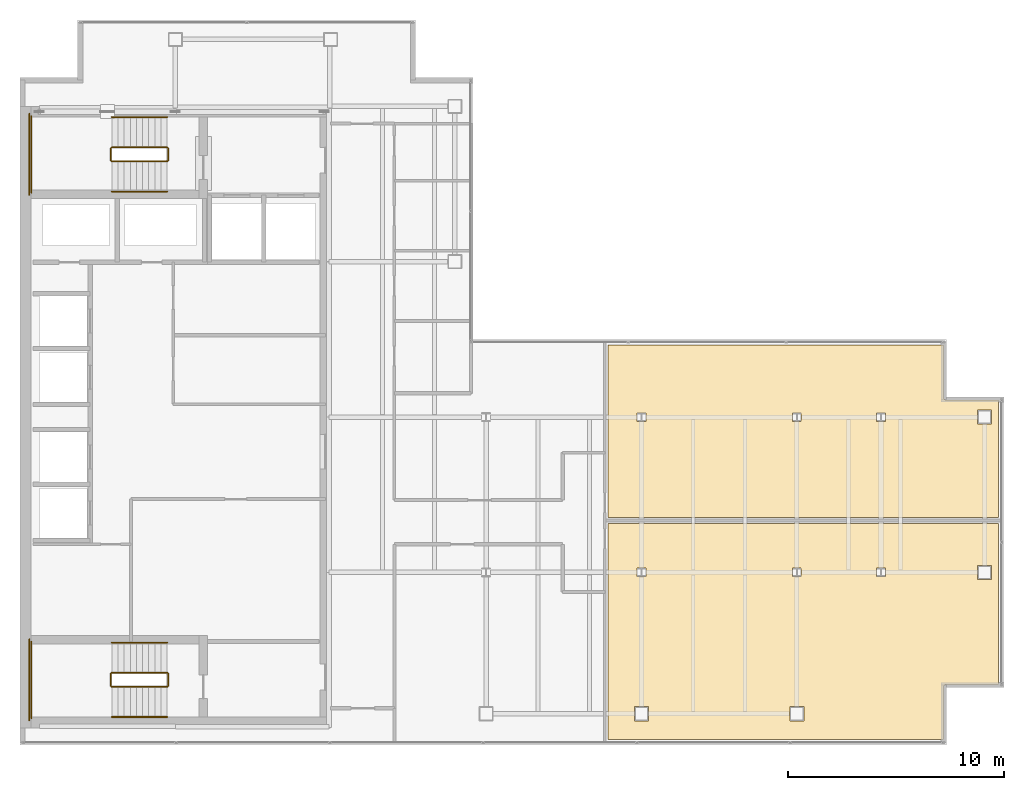
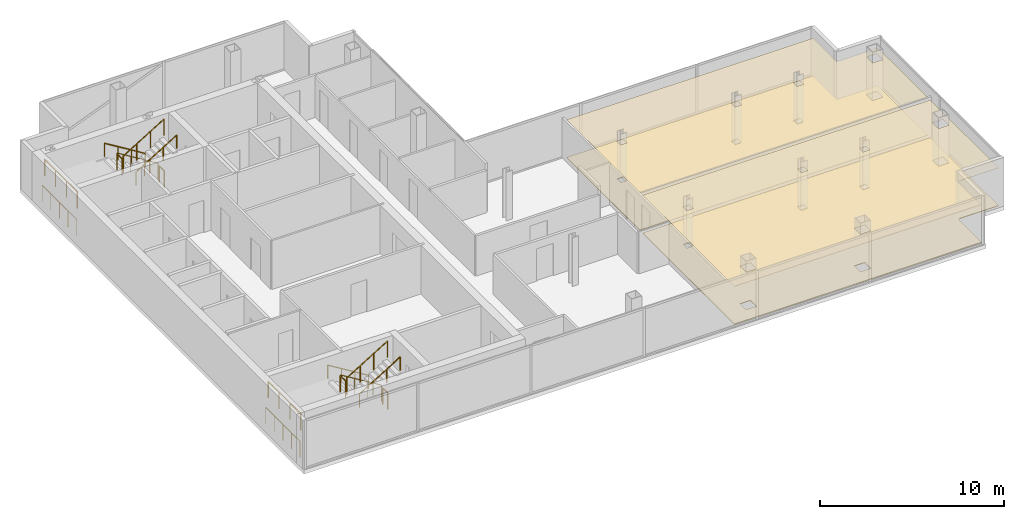
# One storey, part 23 of 23: 16 railings, 4 coverings.
"""IFC4 building model written with IfcOpenShell, lengths in metres."""

from ifc_helpers import new_model, si_unit, direction, frame, origin, origin_2d, place, context, subcontext, project, spatial, polyline, circle, outline, extrude, material, layer, layer_set, type_object, element, save


model = new_model("IFC4")

# Units and contexts
model_context = context("Model", 3, precision=1e-05, world=origin(), true_north=direction((0.0, 1.0)))
body_context = subcontext(model_context, "Body", "Model", "MODEL_VIEW")
ifc_project = project(units=[si_unit("LENGTHUNIT", "METRE"), si_unit("AREAUNIT", "SQUARE_METRE"), si_unit("VOLUMEUNIT", "CUBIC_METRE"), si_unit("PLANEANGLEUNIT", "RADIAN"), si_unit("MASSUNIT", "GRAM", prefix="KILO")], contexts=[model_context])

# Site, building, storey
site_placement = place(None, origin())
site = spatial("IfcSite", under=ifc_project, at=site_placement, CompositionType="ELEMENT")
building_placement = place(site_placement, origin())
building = spatial("IfcBuilding", under=site, at=building_placement, Name="Cobrela Telecom Tower", CompositionType="ELEMENT")
storey_placement = place(building_placement, frame((0.0, 0.0, 279.64990234375)))
storey = spatial("IfcBuildingStorey", under=building, at=storey_placement, Name="L73", CompositionType="ELEMENT", Elevation=279.64990234375)

# Coverings
ifc_material_1 = material(Name="Mineral Fibre Acoustic Ceiling Tile")
ifc_layer_1 = layer(ifc_material_1, 0.02490234375)
ifc_layer_set_1 = layer_set([ifc_layer_1], Name="Mineral Fibre Acoustic Ceiling Tile")
covering_type_1 = type_object("IfcCoveringType", Name="COV-CEIL-ACT", PredefinedType="CEILING", material=ifc_layer_set_1)
covering_1_placement = place(storey_placement, frame((0.0, 0.0, 2.52001953125)))
element("IfcCovering", 1, at=covering_1_placement, inside=storey, type_object=covering_type_1, Name="L73 Engineering Conference Room 5 Suspended Acoustic Ceiling", PredefinedType="CEILING", context=body_context, shape_type="SweptSolid", body=[
    extrude(outline(polyline([(45.340087890625, 9.2099609375), (42.928955078125, 9.2099609375), (42.916259765625, 9.20947265625), (42.902587890625, 9.20751953125), (42.889404296875, 9.2041015625), (42.87646484375, 9.199462890625), (42.864013671875, 9.193603515625), (42.85205078125, 9.186279296875), (42.84130859375, 9.17822265625), (42.8310546875, 9.1689453125), (42.82177734375, 9.15869140625), (42.813720703125, 9.14794921875), (42.806396484375, 9.135986328125), (42.800537109375, 9.12353515625), (42.7958984375, 9.110595703125), (42.79248046875, 9.097412109375), (42.79052734375, 9.083740234375), (42.7900390625, 9.071044921875), (42.7900390625, 6.659912109375), (27.239990234375, 6.659912109375), (27.239990234375, 16.659912109375), (45.340087890625, 16.659912109375), (45.340087890625, 9.2099609375)]), holes=[polyline([(28.99951171875, 14.596923828125), (28.6005859375, 14.596923828125), (28.6005859375, 14.202880859375), (28.99951171875, 14.202880859375), (28.99951171875, 14.596923828125)]), polyline([(29.125, 8.175048828125), (28.47509765625, 8.175048828125), (28.47509765625, 7.52490234375), (29.125, 7.52490234375), (29.125, 8.175048828125)]), polyline([(36.324951171875, 8.175048828125), (35.675048828125, 8.175048828125), (35.675048828125, 7.52490234375), (36.324951171875, 7.52490234375), (36.324951171875, 8.175048828125)]), polyline([(36.199462890625, 14.596923828125), (35.800537109375, 14.596923828125), (35.800537109375, 14.202880859375), (36.199462890625, 14.202880859375), (36.199462890625, 14.596923828125)]), polyline([(40.099609375, 14.596923828125), (39.700439453125, 14.596923828125), (39.700439453125, 14.202880859375), (40.099609375, 14.202880859375), (40.099609375, 14.596923828125)]), polyline([(45.02490234375, 14.72509765625), (44.375, 14.72509765625), (44.375, 14.074951171875), (45.02490234375, 14.074951171875), (45.02490234375, 14.72509765625)])]), origin(), (0.0, 0.0, 1.0), 0.025146484375),
])
covering_2_placement = place(storey_placement, frame((0.0, 0.0, 2.52001953125)))
element("IfcCovering", 2, at=covering_2_placement, inside=storey, type_object=covering_type_1, Name="L73 Staff Fitness Gym 6 Suspended Acoustic Ceiling", PredefinedType="CEILING", context=body_context, shape_type="SweptSolid", body=[
    extrude(outline(polyline([(42.7900390625, 24.93994140625), (42.7900390625, 22.529052734375), (42.79052734375, 22.516357421875), (42.79248046875, 22.502685546875), (42.7958984375, 22.489501953125), (42.800537109375, 22.476318359375), (42.806396484375, 22.464111328125), (42.813720703125, 22.4521484375), (42.82177734375, 22.441162109375), (42.8310546875, 22.430908203125), (42.84130859375, 22.421630859375), (42.85205078125, 22.41357421875), (42.864013671875, 22.406494140625), (42.87646484375, 22.400634765625), (42.889404296875, 22.39599609375), (42.902587890625, 22.392578125), (42.916259765625, 22.390625), (42.928955078125, 22.389892578125), (45.340087890625, 22.389892578125), (45.340087890625, 16.93994140625), (27.239990234375, 16.93994140625), (27.239990234375, 24.93994140625), (42.7900390625, 24.93994140625)]), holes=[polyline([(28.99951171875, 21.797119140625), (28.6005859375, 21.797119140625), (28.6005859375, 21.403076171875), (28.99951171875, 21.403076171875), (28.99951171875, 21.797119140625)]), polyline([(36.199462890625, 21.797119140625), (35.800537109375, 21.797119140625), (35.800537109375, 21.403076171875), (36.199462890625, 21.403076171875), (36.199462890625, 21.797119140625)]), polyline([(40.099609375, 21.403076171875), (40.099609375, 21.797119140625), (39.700439453125, 21.797119140625), (39.700439453125, 21.403076171875), (40.099609375, 21.403076171875)]), polyline([(45.02490234375, 21.27490234375), (45.02490234375, 21.925048828125), (44.375, 21.925048828125), (44.375, 21.27490234375), (45.02490234375, 21.27490234375)])]), origin(), (0.0, 0.0, 1.0), 0.025146484375),
])
ifc_material_2 = material(Name="Honed Colombian Basalt Stone", Category="masonry")
ifc_layer_2 = layer(ifc_material_2, 0.0400390625)
ifc_layer_set_2 = layer_set([ifc_layer_2], Name="Honed Colombian Basalt Stone")
covering_type_2 = type_object("IfcCoveringType", Name="COV-FLR-STONE", PredefinedType="FLOORING", material=ifc_layer_set_2)
covering_3_placement = place(storey_placement, origin())
element("IfcCovering", 3, at=covering_3_placement, inside=storey, type_object=covering_type_2, Name="L73 Engineering Conference Room 5 Raised Technical Flooring", PredefinedType="FLOORING", context=body_context, shape_type="SweptSolid", body=[
    extrude(outline(polyline([(45.340087890625, 9.2099609375), (42.928955078125, 9.2099609375), (42.916259765625, 9.20947265625), (42.902587890625, 9.20751953125), (42.889404296875, 9.2041015625), (42.87646484375, 9.199462890625), (42.864013671875, 9.193603515625), (42.85205078125, 9.186279296875), (42.84130859375, 9.17822265625), (42.8310546875, 9.1689453125), (42.82177734375, 9.15869140625), (42.813720703125, 9.14794921875), (42.806396484375, 9.135986328125), (42.800537109375, 9.12353515625), (42.7958984375, 9.110595703125), (42.79248046875, 9.097412109375), (42.79052734375, 9.083740234375), (42.7900390625, 9.071044921875), (42.7900390625, 6.659912109375), (27.239990234375, 6.659912109375), (27.239990234375, 16.659912109375), (45.340087890625, 16.659912109375), (45.340087890625, 9.2099609375)]), holes=[polyline([(28.99951171875, 14.596923828125), (28.6005859375, 14.596923828125), (28.6005859375, 14.202880859375), (28.99951171875, 14.202880859375), (28.99951171875, 14.596923828125)]), polyline([(29.125, 8.175048828125), (28.47509765625, 8.175048828125), (28.47509765625, 7.52490234375), (29.125, 7.52490234375), (29.125, 8.175048828125)]), polyline([(36.324951171875, 8.175048828125), (35.675048828125, 8.175048828125), (35.675048828125, 7.52490234375), (36.324951171875, 7.52490234375), (36.324951171875, 8.175048828125)]), polyline([(36.199462890625, 14.596923828125), (35.800537109375, 14.596923828125), (35.800537109375, 14.202880859375), (36.199462890625, 14.202880859375), (36.199462890625, 14.596923828125)]), polyline([(40.099609375, 14.596923828125), (39.700439453125, 14.596923828125), (39.700439453125, 14.202880859375), (40.099609375, 14.202880859375), (40.099609375, 14.596923828125)]), polyline([(45.02490234375, 14.72509765625), (44.375, 14.72509765625), (44.375, 14.074951171875), (45.02490234375, 14.074951171875), (45.02490234375, 14.72509765625)])]), origin(), (0.0, 0.0, 1.0), 0.0400390625),
])
covering_4_placement = place(storey_placement, origin())
element("IfcCovering", 4, at=covering_4_placement, inside=storey, type_object=covering_type_2, Name="L73 Staff Fitness Gym 6 Raised Technical Flooring", PredefinedType="FLOORING", context=body_context, shape_type="SweptSolid", body=[
    extrude(outline(polyline([(42.7900390625, 24.93994140625), (42.7900390625, 22.529052734375), (42.79052734375, 22.516357421875), (42.79248046875, 22.502685546875), (42.7958984375, 22.489501953125), (42.800537109375, 22.476318359375), (42.806396484375, 22.464111328125), (42.813720703125, 22.4521484375), (42.82177734375, 22.441162109375), (42.8310546875, 22.430908203125), (42.84130859375, 22.421630859375), (42.85205078125, 22.41357421875), (42.864013671875, 22.406494140625), (42.87646484375, 22.400634765625), (42.889404296875, 22.39599609375), (42.902587890625, 22.392578125), (42.916259765625, 22.390625), (42.928955078125, 22.389892578125), (45.340087890625, 22.389892578125), (45.340087890625, 16.93994140625), (27.239990234375, 16.93994140625), (27.239990234375, 24.93994140625), (42.7900390625, 24.93994140625)]), holes=[polyline([(28.99951171875, 21.797119140625), (28.6005859375, 21.797119140625), (28.6005859375, 21.403076171875), (28.99951171875, 21.403076171875), (28.99951171875, 21.797119140625)]), polyline([(36.199462890625, 21.797119140625), (35.800537109375, 21.797119140625), (35.800537109375, 21.403076171875), (36.199462890625, 21.403076171875), (36.199462890625, 21.797119140625)]), polyline([(40.099609375, 21.403076171875), (40.099609375, 21.797119140625), (39.700439453125, 21.797119140625), (39.700439453125, 21.403076171875), (40.099609375, 21.403076171875)]), polyline([(45.02490234375, 21.27490234375), (45.02490234375, 21.925048828125), (44.375, 21.925048828125), (44.375, 21.27490234375), (45.02490234375, 21.27490234375)])]), origin(), (0.0, 0.0, 1.0), 0.0400390625),
])

# Railings
ifc_material_3 = material(Name="Steel ASTM A36", Category="steel")
railing_type_1 = type_object("IfcRailingType", Name="RAIL-GUARD-1100", PredefinedType="GUARDRAIL", material=ifc_material_3)
railing_1_placement = place(storey_placement, frame((6.820068359375, 34.10009765625, 0.175048828125)))
element("IfcRailing", 5, at=railing_1_placement, inside=storey, type_object=railing_type_1, Name="L73 ST1 stair guard 1", PredefinedType="GUARDRAIL", context=body_context, shape_type="SweptSolid", body=[
    extrude(circle(Radius=0.02392578125, at=origin_2d()), frame((0.0, 0.0, 1.076171875), z_axis=(-0.852195335862, 0.0, 0.523223766217), x_axis=(0.0, -1.0, 0.0)), (0.0, 0.0, 1.0), 3.010009765625),
    extrude(circle(Radius=0.02099609375, at=origin_2d()), origin(), (0.0, 0.0, 1.0), 1.052001953125),
    extrude(circle(Radius=0.02099609375, at=origin_2d()), frame((-0.85498046875, 0.0, 0.52490234375)), (0.0, 0.0, 1.0), 1.052001953125),
    extrude(circle(Radius=0.02099609375, at=origin_2d()), frame((-1.710205078125, 0.0, 1.050048828125)), (0.0, 0.0, 1.0), 1.052001953125),
    extrude(circle(Radius=0.02099609375, at=origin_2d()), frame((-2.565185546875, 0.0, 1.574951171875)), (0.0, 0.0, 1.0), 1.052001953125),
])
railing_2_placement = place(storey_placement, frame((4.205078125, 34.050048828125, 1.75)))
element("IfcRailing", 6, at=railing_2_placement, inside=storey, type_object=railing_type_1, Name="L73 ST1 stair guard 2", PredefinedType="GUARDRAIL", context=body_context, shape_type="SweptSolid", body=[
    extrude(circle(Radius=0.02392578125, at=origin_2d()), frame((0.0, 0.0, 1.076171875), z_axis=(0.0, -1.0, 0.0), x_axis=(1.0, 0.0, 0.0)), (0.0, 0.0, 1.0), 0.550048828125),
    extrude(circle(Radius=0.02099609375, at=origin_2d()), origin(), (0.0, 0.0, 1.0), 1.052001953125),
    extrude(circle(Radius=0.02099609375, at=origin_2d()), frame((0.0, -0.550048828125, 0.0)), (0.0, 0.0, 1.0), 1.052001953125),
])
railing_3_placement = place(storey_placement, frame((0.530029296875, 35.550048828125, 1.75)))
element("IfcRailing", 7, at=railing_3_placement, inside=storey, type_object=railing_type_1, Name="L73 ST1 stair guard 3", PredefinedType="GUARDRAIL", context=body_context, shape_type="SweptSolid", body=[
    extrude(circle(Radius=0.02392578125, at=origin_2d()), frame((0.0, 0.0, 1.076171875), z_axis=(0.0, -1.0, 0.0), x_axis=(1.0, 0.0, 0.0)), (0.0, 0.0, 1.0), 3.550048828125),
    extrude(circle(Radius=0.02099609375, at=origin_2d()), origin(), (0.0, 0.0, 1.0), 1.052001953125),
    extrude(circle(Radius=0.02099609375, at=origin_2d()), frame((0.0, -1.183349609375, 0.0)), (0.0, 0.0, 1.0), 1.052001953125),
    extrude(circle(Radius=0.02099609375, at=origin_2d()), frame((0.0, -2.36669921875, 0.0)), (0.0, 0.0, 1.0), 1.052001953125),
    extrude(circle(Radius=0.02099609375, at=origin_2d()), frame((0.0, -3.550048828125, 0.0)), (0.0, 0.0, 1.0), 1.052001953125),
])
railing_4_placement = place(storey_placement, frame((4.2548828125, 33.449951171875, 1.925048828125)))
element("IfcRailing", 8, at=railing_4_placement, inside=storey, type_object=railing_type_1, Name="L73 ST1 stair guard 4", PredefinedType="GUARDRAIL", context=body_context, shape_type="SweptSolid", body=[
    extrude(circle(Radius=0.02392578125, at=origin_2d()), frame((0.0, 0.0, 1.076171875), z_axis=(0.852195335862, 0.0, 0.523223766217), x_axis=(0.0, 1.0, 0.0)), (0.0, 0.0, 1.0), 3.010009765625),
    extrude(circle(Radius=0.02099609375, at=origin_2d()), origin(), (0.0, 0.0, 1.0), 1.052001953125),
    extrude(circle(Radius=0.02099609375, at=origin_2d()), frame((0.85498046875, 0.0, 0.52490234375)), (0.0, 0.0, 1.0), 1.052001953125),
    extrude(circle(Radius=0.02099609375, at=origin_2d()), frame((1.710205078125, 0.0, 1.050048828125)), (0.0, 0.0, 1.0), 1.052001953125),
    extrude(circle(Radius=0.02099609375, at=origin_2d()), frame((2.565185546875, 0.0, 1.574951171875)), (0.0, 0.0, 1.0), 1.052001953125),
])
railing_5_placement = place(storey_placement, frame((6.8701171875, 34.050048828125, 0.0)))
element("IfcRailing", 9, at=railing_5_placement, inside=storey, type_object=railing_type_1, Name="L73 ST1 stair guard 5", PredefinedType="GUARDRAIL", context=body_context, shape_type="SweptSolid", body=[
    extrude(circle(Radius=0.02392578125, at=origin_2d()), frame((0.0, 0.0, 1.076171875), z_axis=(0.0, -1.0, 0.0), x_axis=(1.0, 0.0, 0.0)), (0.0, 0.0, 1.0), 0.550048828125),
    extrude(circle(Radius=0.02099609375, at=origin_2d()), origin(), (0.0, 0.0, 1.0), 1.052001953125),
    extrude(circle(Radius=0.02099609375, at=origin_2d()), frame((0.0, -0.550048828125, 0.0)), (0.0, 0.0, 1.0), 1.052001953125),
])
railing_6_placement = place(storey_placement, frame((0.429931640625, 35.64990234375, 0.0)))
element("IfcRailing", 10, at=railing_6_placement, inside=storey, type_object=railing_type_1, Name="L73 ST1 stair guard 6", PredefinedType="GUARDRAIL", context=body_context, shape_type="SweptSolid", body=[
    extrude(circle(Radius=0.02392578125, at=origin_2d()), frame((0.0, 0.0, 1.076171875), z_axis=(0.0, -1.0, 0.0), x_axis=(1.0, 0.0, 0.0)), (0.0, 0.0, 1.0), 3.75),
    extrude(circle(Radius=0.02099609375, at=origin_2d()), origin(), (0.0, 0.0, 1.0), 1.052001953125),
    extrude(circle(Radius=0.02099609375, at=origin_2d()), frame((0.0, -0.9375, 0.0)), (0.0, 0.0, 1.0), 1.052001953125),
    extrude(circle(Radius=0.02099609375, at=origin_2d()), frame((0.0, -1.875, 0.0)), (0.0, 0.0, 1.0), 1.052001953125),
    extrude(circle(Radius=0.02099609375, at=origin_2d()), frame((0.0, -2.8125, 0.0)), (0.0, 0.0, 1.0), 1.052001953125),
    extrude(circle(Radius=0.02099609375, at=origin_2d()), frame((0.0, -3.75, 0.0)), (0.0, 0.0, 1.0), 1.052001953125),
])
railing_7_placement = place(storey_placement, frame((6.820068359375, 9.75, 0.175048828125)))
element("IfcRailing", 11, at=railing_7_placement, inside=storey, type_object=railing_type_1, Name="L73 ST2 stair guard 1", PredefinedType="GUARDRAIL", context=body_context, shape_type="SweptSolid", body=[
    extrude(circle(Radius=0.02392578125, at=origin_2d()), frame((0.0, 0.0, 1.076171875), z_axis=(-0.852195335862, 0.0, 0.523223766217), x_axis=(0.0, -1.0, 0.0)), (0.0, 0.0, 1.0), 3.010009765625),
    extrude(circle(Radius=0.02099609375, at=origin_2d()), origin(), (0.0, 0.0, 1.0), 1.052001953125),
    extrude(circle(Radius=0.02099609375, at=origin_2d()), frame((-0.85498046875, 0.0, 0.52490234375)), (0.0, 0.0, 1.0), 1.052001953125),
    extrude(circle(Radius=0.02099609375, at=origin_2d()), frame((-1.710205078125, 0.0, 1.050048828125)), (0.0, 0.0, 1.0), 1.052001953125),
    extrude(circle(Radius=0.02099609375, at=origin_2d()), frame((-2.565185546875, 0.0, 1.574951171875)), (0.0, 0.0, 1.0), 1.052001953125),
])
railing_8_placement = place(storey_placement, frame((4.205078125, 9.699951171875, 1.75)))
element("IfcRailing", 12, at=railing_8_placement, inside=storey, type_object=railing_type_1, Name="L73 ST2 stair guard 2", PredefinedType="GUARDRAIL", context=body_context, shape_type="SweptSolid", body=[
    extrude(circle(Radius=0.02392578125, at=origin_2d()), frame((0.0, 0.0, 1.076171875), z_axis=(0.0, -1.0, 0.0), x_axis=(1.0, 0.0, 0.0)), (0.0, 0.0, 1.0), 0.550048828125),
    extrude(circle(Radius=0.02099609375, at=origin_2d()), origin(), (0.0, 0.0, 1.0), 1.052001953125),
    extrude(circle(Radius=0.02099609375, at=origin_2d()), frame((0.0, -0.550048828125, 0.0)), (0.0, 0.0, 1.0), 1.052001953125),
])
railing_9_placement = place(storey_placement, frame((0.530029296875, 11.199951171875, 1.75)))
element("IfcRailing", 13, at=railing_9_placement, inside=storey, type_object=railing_type_1, Name="L73 ST2 stair guard 3", PredefinedType="GUARDRAIL", context=body_context, shape_type="SweptSolid", body=[
    extrude(circle(Radius=0.02392578125, at=origin_2d()), frame((0.0, 0.0, 1.076171875), z_axis=(0.0, -1.0, 0.0), x_axis=(1.0, 0.0, 0.0)), (0.0, 0.0, 1.0), 3.550048828125),
    extrude(circle(Radius=0.02099609375, at=origin_2d()), origin(), (0.0, 0.0, 1.0), 1.052001953125),
    extrude(circle(Radius=0.02099609375, at=origin_2d()), frame((0.0, -1.183349609375, 0.0)), (0.0, 0.0, 1.0), 1.052001953125),
    extrude(circle(Radius=0.02099609375, at=origin_2d()), frame((0.0, -2.36669921875, 0.0)), (0.0, 0.0, 1.0), 1.052001953125),
    extrude(circle(Radius=0.02099609375, at=origin_2d()), frame((0.0, -3.550048828125, 0.0)), (0.0, 0.0, 1.0), 1.052001953125),
])
railing_10_placement = place(storey_placement, frame((4.2548828125, 9.10009765625, 1.925048828125)))
element("IfcRailing", 14, at=railing_10_placement, inside=storey, type_object=railing_type_1, Name="L73 ST2 stair guard 4", PredefinedType="GUARDRAIL", context=body_context, shape_type="SweptSolid", body=[
    extrude(circle(Radius=0.02392578125, at=origin_2d()), frame((0.0, 0.0, 1.076171875), z_axis=(0.852195335862, 0.0, 0.523223766217), x_axis=(0.0, 1.0, 0.0)), (0.0, 0.0, 1.0), 3.010009765625),
    extrude(circle(Radius=0.02099609375, at=origin_2d()), origin(), (0.0, 0.0, 1.0), 1.052001953125),
    extrude(circle(Radius=0.02099609375, at=origin_2d()), frame((0.85498046875, 0.0, 0.52490234375)), (0.0, 0.0, 1.0), 1.052001953125),
    extrude(circle(Radius=0.02099609375, at=origin_2d()), frame((1.710205078125, 0.0, 1.050048828125)), (0.0, 0.0, 1.0), 1.052001953125),
    extrude(circle(Radius=0.02099609375, at=origin_2d()), frame((2.565185546875, 0.0, 1.574951171875)), (0.0, 0.0, 1.0), 1.052001953125),
])
railing_11_placement = place(storey_placement, frame((6.8701171875, 9.699951171875, 0.0)))
element("IfcRailing", 15, at=railing_11_placement, inside=storey, type_object=railing_type_1, Name="L73 ST2 stair guard 5", PredefinedType="GUARDRAIL", context=body_context, shape_type="SweptSolid", body=[
    extrude(circle(Radius=0.02392578125, at=origin_2d()), frame((0.0, 0.0, 1.076171875), z_axis=(0.0, -1.0, 0.0), x_axis=(1.0, 0.0, 0.0)), (0.0, 0.0, 1.0), 0.550048828125),
    extrude(circle(Radius=0.02099609375, at=origin_2d()), origin(), (0.0, 0.0, 1.0), 1.052001953125),
    extrude(circle(Radius=0.02099609375, at=origin_2d()), frame((0.0, -0.550048828125, 0.0)), (0.0, 0.0, 1.0), 1.052001953125),
])
railing_12_placement = place(storey_placement, frame((0.429931640625, 11.300048828125, 0.0)))
element("IfcRailing", 16, at=railing_12_placement, inside=storey, type_object=railing_type_1, Name="L73 ST2 stair guard 6", PredefinedType="GUARDRAIL", context=body_context, shape_type="SweptSolid", body=[
    extrude(circle(Radius=0.02392578125, at=origin_2d()), frame((0.0, 0.0, 1.076171875), z_axis=(0.0, -1.0, 0.0), x_axis=(1.0, 0.0, 0.0)), (0.0, 0.0, 1.0), 3.75),
    extrude(circle(Radius=0.02099609375, at=origin_2d()), origin(), (0.0, 0.0, 1.0), 1.052001953125),
    extrude(circle(Radius=0.02099609375, at=origin_2d()), frame((0.0, -0.9375, 0.0)), (0.0, 0.0, 1.0), 1.052001953125),
    extrude(circle(Radius=0.02099609375, at=origin_2d()), frame((0.0, -1.875, 0.0)), (0.0, 0.0, 1.0), 1.052001953125),
    extrude(circle(Radius=0.02099609375, at=origin_2d()), frame((0.0, -2.8125, 0.0)), (0.0, 0.0, 1.0), 1.052001953125),
    extrude(circle(Radius=0.02099609375, at=origin_2d()), frame((0.0, -3.75, 0.0)), (0.0, 0.0, 1.0), 1.052001953125),
])
railing_type_2 = type_object("IfcRailingType", Name="RAIL-HAND-920", PredefinedType="HANDRAIL", material=ifc_material_3)
railing_13_placement = place(storey_placement, frame((6.820068359375, 35.5, 0.175048828125)))
element("IfcRailing", 17, at=railing_13_placement, inside=storey, type_object=railing_type_2, Name="L73 ST1 stair handrail 1", PredefinedType="HANDRAIL", context=body_context, shape_type="SweptSolid", body=[
    extrude(circle(Radius=0.02392578125, at=origin_2d()), frame((0.0, 0.0, 0.8759765625), z_axis=(-0.852195335862, 0.0, 0.523223766217), x_axis=(0.0, -1.0, 0.0)), (0.0, 0.0, 1.0), 3.010009765625),
    extrude(circle(Radius=0.02099609375, at=origin_2d()), origin(), (0.0, 0.0, 1.0), 0.851806640625),
    extrude(circle(Radius=0.02099609375, at=origin_2d()), frame((-0.85498046875, 0.0, 0.52490234375)), (0.0, 0.0, 1.0), 0.851806640625),
    extrude(circle(Radius=0.02099609375, at=origin_2d()), frame((-1.710205078125, 0.0, 1.050048828125)), (0.0, 0.0, 1.0), 0.851806640625),
    extrude(circle(Radius=0.02099609375, at=origin_2d()), frame((-2.565185546875, 0.0, 1.574951171875)), (0.0, 0.0, 1.0), 0.851806640625),
])
railing_14_placement = place(storey_placement, frame((4.2548828125, 32.050048828125, 1.925048828125)))
element("IfcRailing", 18, at=railing_14_placement, inside=storey, type_object=railing_type_2, Name="L73 ST1 stair handrail 2", PredefinedType="HANDRAIL", context=body_context, shape_type="SweptSolid", body=[
    extrude(circle(Radius=0.02392578125, at=origin_2d()), frame((0.0, 0.0, 0.8759765625), z_axis=(0.852195335862, 0.0, 0.523223766217), x_axis=(0.0, 1.0, 0.0)), (0.0, 0.0, 1.0), 3.010009765625),
    extrude(circle(Radius=0.02099609375, at=origin_2d()), origin(), (0.0, 0.0, 1.0), 0.851806640625),
    extrude(circle(Radius=0.02099609375, at=origin_2d()), frame((0.85498046875, 0.0, 0.52490234375)), (0.0, 0.0, 1.0), 0.851806640625),
    extrude(circle(Radius=0.02099609375, at=origin_2d()), frame((1.710205078125, 0.0, 1.050048828125)), (0.0, 0.0, 1.0), 0.851806640625),
    extrude(circle(Radius=0.02099609375, at=origin_2d()), frame((2.565185546875, 0.0, 1.574951171875)), (0.0, 0.0, 1.0), 0.851806640625),
])
railing_15_placement = place(storey_placement, frame((6.820068359375, 11.14990234375, 0.175048828125)))
element("IfcRailing", 19, at=railing_15_placement, inside=storey, type_object=railing_type_2, Name="L73 ST2 stair handrail 1", PredefinedType="HANDRAIL", context=body_context, shape_type="SweptSolid", body=[
    extrude(circle(Radius=0.02392578125, at=origin_2d()), frame((0.0, 0.0, 0.8759765625), z_axis=(-0.852195335862, 0.0, 0.523223766217), x_axis=(0.0, -1.0, 0.0)), (0.0, 0.0, 1.0), 3.010009765625),
    extrude(circle(Radius=0.02099609375, at=origin_2d()), origin(), (0.0, 0.0, 1.0), 0.851806640625),
    extrude(circle(Radius=0.02099609375, at=origin_2d()), frame((-0.85498046875, 0.0, 0.52490234375)), (0.0, 0.0, 1.0), 0.851806640625),
    extrude(circle(Radius=0.02099609375, at=origin_2d()), frame((-1.710205078125, 0.0, 1.050048828125)), (0.0, 0.0, 1.0), 0.851806640625),
    extrude(circle(Radius=0.02099609375, at=origin_2d()), frame((-2.565185546875, 0.0, 1.574951171875)), (0.0, 0.0, 1.0), 0.851806640625),
])
railing_16_placement = place(storey_placement, frame((4.2548828125, 7.699951171875, 1.925048828125)))
element("IfcRailing", 20, at=railing_16_placement, inside=storey, type_object=railing_type_2, Name="L73 ST2 stair handrail 2", PredefinedType="HANDRAIL", context=body_context, shape_type="SweptSolid", body=[
    extrude(circle(Radius=0.02392578125, at=origin_2d()), frame((0.0, 0.0, 0.8759765625), z_axis=(0.852195335862, 0.0, 0.523223766217), x_axis=(0.0, 1.0, 0.0)), (0.0, 0.0, 1.0), 3.010009765625),
    extrude(circle(Radius=0.02099609375, at=origin_2d()), origin(), (0.0, 0.0, 1.0), 0.851806640625),
    extrude(circle(Radius=0.02099609375, at=origin_2d()), frame((0.85498046875, 0.0, 0.52490234375)), (0.0, 0.0, 1.0), 0.851806640625),
    extrude(circle(Radius=0.02099609375, at=origin_2d()), frame((1.710205078125, 0.0, 1.050048828125)), (0.0, 0.0, 1.0), 0.851806640625),
    extrude(circle(Radius=0.02099609375, at=origin_2d()), frame((2.565185546875, 0.0, 1.574951171875)), (0.0, 0.0, 1.0), 0.851806640625),
])

save(model, "model.ifc")
